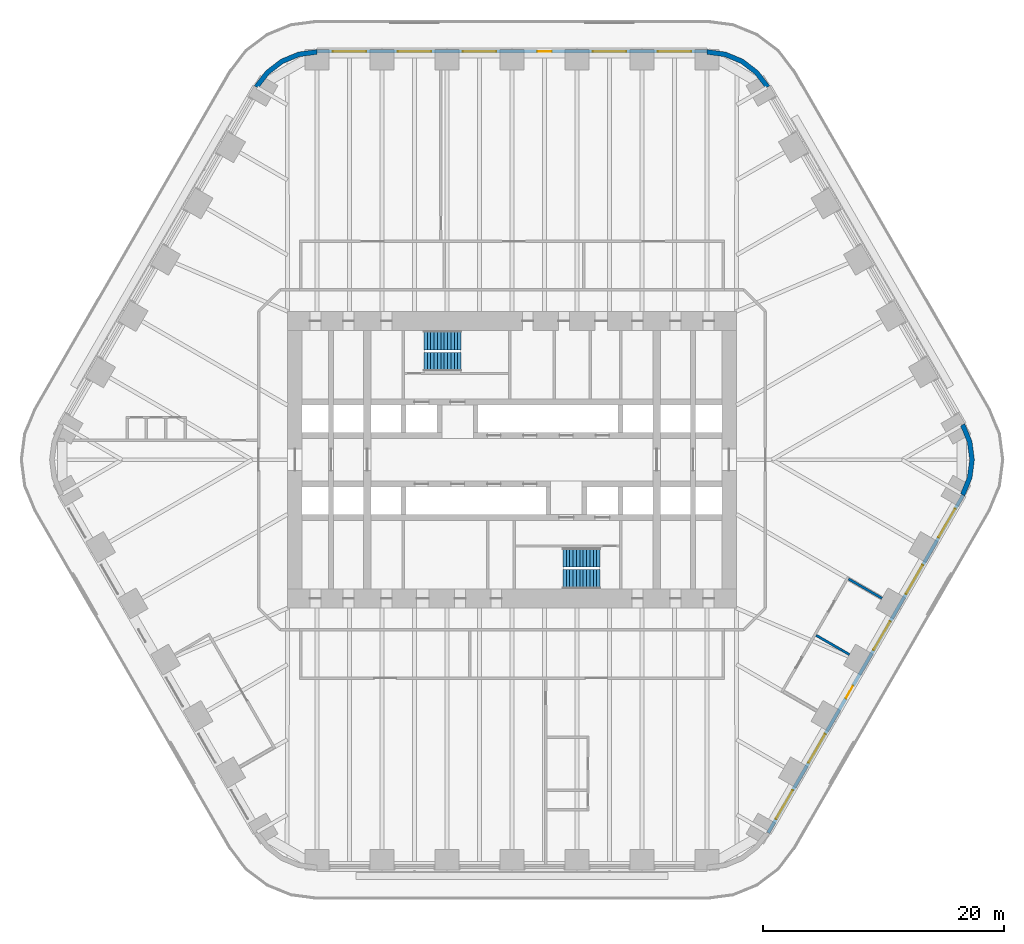
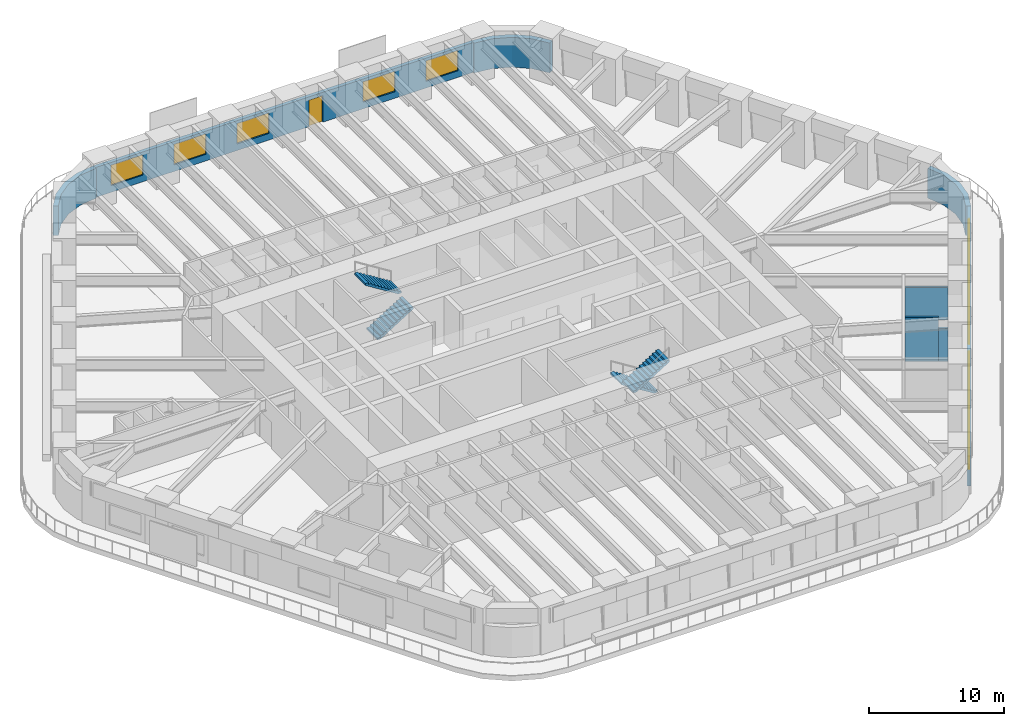
# One storey, part 20 of 23: 10 windows, 8 walls, 4 stair flights, 2 doors, 12 openings, 2 elements without a shape of their own.
"""IFC4 building model written with IfcOpenShell, lengths in metres."""

import ifcopenshell
import ifcopenshell.guid

model = None  # the IFC model being written
_history = None  # IfcOwnerHistory: only IFC2X3 demands one
_inside = {}  # id of a spatial element -> (the spatial element, [elements in it])
_under = {}  # id of a project, library or spatial element -> (it, [spatial elements below it])
_declared = {}  # id of a project -> (the project, [libraries it declares])
_typed = {}  # id of a type object -> (the type object, [elements of that type])
_made_of = {}  # id of a material, layer set ... -> (it, [elements and type objects made of it])


def new_model(schema):
    """Start an empty IFC model of exactly this schema.

    Asked for "IFC4X3", IfcOpenShell would pick the latest addendum, in which some entities
    have other attributes; the version numbers below select the first issue.
    IFC2X3 requires an IfcOwnerHistory on every rooted entity: one is made here for all.
    """
    global model, _history
    if schema == "IFC4X3":
        model = ifcopenshell.file(schema_version=(4, 3, 0, 0))
    else:
        model = ifcopenshell.file(schema=schema)
    _inside.clear()
    _under.clear()
    _declared.clear()
    _typed.clear()
    _made_of.clear()
    _history = None
    if model.schema == "IFC2X3":
        org = make("IfcOrganization", Name="unknown")
        user = make(
            "IfcPersonAndOrganization",
            ThePerson=make("IfcPerson", FamilyName="unknown"),
            TheOrganization=org,
        )
        app = make(
            "IfcApplication",
            ApplicationDeveloper=org,
            Version="unknown",
            ApplicationFullName="unknown",
            ApplicationIdentifier="unknown",
        )
        _history = make(
            "IfcOwnerHistory",
            OwningUser=user,
            OwningApplication=app,
            ChangeAction="ADDED",
            CreationDate=0,
        )
    return model


def make(cls, **values):
    """One entity of the class cls with the attributes given. An attribute that is None is left unset."""
    return model.create_entity(
        cls, **{name: value for name, value in values.items() if value is not None}
    )


def rooted(cls, **values):
    """An entity with a GlobalId (a new one), such as an element, a storey or a relation."""
    return make(cls, GlobalId=ifcopenshell.guid.new(), OwnerHistory=_history, **values)


def si_unit(unit_type, name, prefix=None):
    """IfcSIUnit, for example si_unit("LENGTHUNIT", "METRE", prefix="MILLI")."""
    return make("IfcSIUnit", UnitType=unit_type, Prefix=prefix, Name=name)


def assignment(units):
    """IfcUnitAssignment: the units of a project."""
    return None if units is None else make("IfcUnitAssignment", Units=units)


def point(xyz):
    """IfcCartesianPoint."""
    return None if xyz is None else make("IfcCartesianPoint", Coordinates=xyz)


def direction(xyz):
    """IfcDirection."""
    return None if xyz is None else make("IfcDirection", DirectionRatios=xyz)


def frame(location, z_axis=None, x_axis=None):
    """IfcAxis2Placement3D, a coordinate frame: its origin and axes. An axis left out is left unset."""
    return make(
        "IfcAxis2Placement3D",
        Location=point(location),
        Axis=direction(z_axis),
        RefDirection=direction(x_axis),
    )


def frame_2d(location, x_axis=None):
    """IfcAxis2Placement2D, a coordinate frame in the plane: its origin and x axis."""
    return make(
        "IfcAxis2Placement2D", Location=point(location), RefDirection=direction(x_axis)
    )


def origin():
    """The frame at (0, 0, 0) with its axes left unset."""
    return frame((0.0, 0.0, 0.0))


def place(relative_to, where):
    """IfcLocalPlacement: puts the frame where relative to a parent placement (None: the world)."""
    return make(
        "IfcLocalPlacement", PlacementRelTo=relative_to, RelativePlacement=where
    )


def context(
    kind, dimensions, precision=None, world=None, true_north=None, identifier=None
):
    """IfcGeometricRepresentationContext, for example the 3D "Model" context."""
    return make(
        "IfcGeometricRepresentationContext",
        ContextIdentifier=identifier,
        ContextType=kind,
        CoordinateSpaceDimension=dimensions,
        Precision=precision,
        WorldCoordinateSystem=world,
        TrueNorth=true_north,
    )


def subcontext(parent, identifier, kind, view, scale=None):
    """IfcGeometricRepresentationSubContext, for example "Body" below "Model"."""
    return make(
        "IfcGeometricRepresentationSubContext",
        ContextIdentifier=identifier,
        ContextType=kind,
        ParentContext=parent,
        TargetScale=scale,
        TargetView=view,
    )


def project(units=None, contexts=None):
    """IfcProject with its units and contexts."""
    return rooted(
        "IfcProject",
        Name="project",
        RepresentationContexts=contexts,
        UnitsInContext=assignment(units),
    )


def spatial(cls, under=None, at=None, **own):
    """A site, building, storey or space (cls), placed at a placement, below another one or the project."""
    s = rooted(cls, ObjectPlacement=at, **own)
    if under is not None:
        _under.setdefault(under.id(), (under, []))[1].append(s)
    return s


def polyline(points):
    """IfcPolyline through the points."""
    return make("IfcPolyline", Points=[point(p) for p in points])


def profile(cls, at=None, kind="AREA", **sizes):
    """A parametric profile (cls). Its sizes go by their IFC names, for example OverallWidth=200.0."""
    return make(cls, ProfileType=kind, Position=at, **sizes)


def rectangle(**sizes):
    """IfcRectangleProfileDef."""
    return profile("IfcRectangleProfileDef", **sizes)


def outline(outer, holes=None, kind="AREA"):
    """IfcArbitraryClosedProfileDef: a profile drawn as a closed curve; with holes, ...WithVoids."""
    if holes is None:
        return make("IfcArbitraryClosedProfileDef", ProfileType=kind, OuterCurve=outer)
    return make(
        "IfcArbitraryProfileDefWithVoids",
        ProfileType=kind,
        OuterCurve=outer,
        InnerCurves=holes,
    )


def extrude(swept, where, along, depth):
    """IfcExtrudedAreaSolid: the profile swept, set in the frame where, extruded along a direction by depth."""
    return make(
        "IfcExtrudedAreaSolid",
        SweptArea=swept,
        Position=where,
        ExtrudedDirection=direction(along),
        Depth=depth,
    )


def shape(context_of_items, identifier, shape_type, items):
    """IfcShapeRepresentation: the items that make up one representation, for example the "Body"."""
    return make(
        "IfcShapeRepresentation",
        ContextOfItems=context_of_items,
        RepresentationIdentifier=identifier,
        RepresentationType=shape_type,
        Items=items,
    )


def material(Name=None, Category=None):
    """IfcMaterial."""
    return make("IfcMaterial", Name=Name, Category=Category)


def layer(
    of_material, thickness, ventilated=None, Name=None, Category=None, Priority=None
):
    """IfcMaterialLayer: one layer of a wall or slab, of a material (None: an air gap)."""
    return make(
        "IfcMaterialLayer",
        Material=of_material,
        LayerThickness=thickness,
        IsVentilated=ventilated,
        Name=Name,
        Category=Category,
        Priority=Priority,
    )


def layer_set(layers, Name=None):
    """IfcMaterialLayerSet."""
    return make("IfcMaterialLayerSet", MaterialLayers=layers, LayerSetName=Name)


def made_of(thing, what):
    """Note that an element or type object is made of a material, layer set ...; save() writes the relation."""
    if what is not None:
        _made_of.setdefault(what.id(), (what, []))[1].append(thing)
    return thing


def type_object(cls, material=None, **own):
    """A type object (cls), such as IfcWallType, which elements share."""
    return made_of(rooted(cls, **own), material)


def element(
    cls,
    number,
    at=None,
    inside=None,
    cuts=None,
    type_object=None,
    material=None,
    context=None,
    identifier="Body",
    shape_type=None,
    held_by="IfcProductDefinitionShape",
    body=None,
    shapes=None,
    **own,
):
    """One element of the class cls, such as IfcWall. Its Tag is "e" and its number.

    at: its placement. inside: the storey or other place that contains it. cuts: it is an
    opening in that element (IfcRelVoidsElement). A single representation is given by context,
    identifier, shape_type and body (its items); several are given by shapes. held_by: the class
    of the entity that holds the representations. save() writes the other relations.
    """
    e = rooted(cls, Tag="e%d" % number, ObjectPlacement=at, **own)
    if body is not None:
        shapes = [shape(context, identifier, shape_type, body)]
    if shapes is not None:
        e.Representation = make(held_by, Representations=shapes)
    if inside is not None:
        _inside.setdefault(inside.id(), (inside, []))[1].append(e)
    if cuts is not None:
        rooted(
            "IfcRelVoidsElement", RelatingBuildingElement=cuts, RelatedOpeningElement=e
        )
    if type_object is not None:
        _typed.setdefault(type_object.id(), (type_object, []))[1].append(e)
    return made_of(e, material)


def fill(opening, filler):
    """IfcRelFillsElement: the door or window that sits in an opening."""
    return rooted(
        "IfcRelFillsElement",
        RelatingOpeningElement=opening,
        RelatedBuildingElement=filler,
    )


def aggregate(whole, parts):
    """IfcRelAggregates: a whole, such as a stair, and the parts it consists of."""
    return rooted("IfcRelAggregates", RelatingObject=whole, RelatedObjects=parts)


def save(model, path):
    """Write the relations noted so far, then the file.

    IfcRelAggregates (storeys below a building ...), IfcRelContainedInSpatialStructure (elements
    in a storey), IfcRelDefinesByType, IfcRelAssociatesMaterial and IfcRelDeclares: one each for
    every whole, place, type object, material and project.
    """
    for whole, parts in _under.values():
        aggregate(whole, parts)
    for where, things in _inside.values():
        rooted(
            "IfcRelContainedInSpatialStructure",
            RelatedElements=things,
            RelatingStructure=where,
        )
    for kind, things in _typed.values():
        rooted("IfcRelDefinesByType", RelatedObjects=things, RelatingType=kind)
    for what, things in _made_of.values():
        rooted("IfcRelAssociatesMaterial", RelatedObjects=things, RelatingMaterial=what)
    for by, libraries in _declared.values():
        rooted("IfcRelDeclares", RelatingContext=by, RelatedDefinitions=libraries)
    model.write(path)


model = new_model("IFC4")

# Units and contexts
model_context = context("Model", 3, precision=1e-05, world=origin(), true_north=direction((0.0, 1.0)))
body_context = subcontext(model_context, "Body", "Model", "MODEL_VIEW")
ifc_project = project(units=[si_unit("LENGTHUNIT", "METRE"), si_unit("AREAUNIT", "SQUARE_METRE"), si_unit("VOLUMEUNIT", "CUBIC_METRE"), si_unit("PLANEANGLEUNIT", "RADIAN"), si_unit("MASSUNIT", "GRAM", prefix="KILO")], contexts=[model_context])

# Site, building, storey
site_placement = place(None, origin())
site = spatial("IfcSite", under=ifc_project, at=site_placement, CompositionType="ELEMENT")
building_placement = place(site_placement, origin())
building = spatial("IfcBuilding", under=site, at=building_placement, Name="Tarfa Lantern Tower", CompositionType="ELEMENT")
storey_placement = place(building_placement, frame((0.0, 0.0, 78.10009765625)))
storey = spatial("IfcBuildingStorey", under=building, at=storey_placement, Name="L17", CompositionType="ELEMENT", Elevation=78.10009765625)

# Wall, openings, door, windows
ifc_material_1 = material(Name="Limestone cladding on blockwork", Category="masonry")
ifc_layer_1 = layer(ifc_material_1, 0.300048828125)
ifc_layer_set_1 = layer_set([ifc_layer_1], Name="EW1 STONE-CLAD WALL 300")
wall_type_1 = type_object("IfcWallType", Name="EW1 STONE-CLAD WALL 300", PredefinedType="SOLIDWALL", material=ifc_layer_set_1)
wall_1_placement = place(storey_placement, frame((16.165771484375, 33.85009765625, 0.0), z_axis=(0.0, 0.0, 1.0), x_axis=(-1.0, 0.0, 0.0)))
wall_1 = element("IfcWall", 1, at=wall_1_placement, inside=storey, type_object=wall_type_1, Name="Stone wall N", PredefinedType="SOLIDWALL", context=body_context, shape_type="SweptSolid", body=[
    extrude(rectangle(XDim=32.33154296875, YDim=0.300048828125, at=frame_2d((16.165771484375, 0.0))), origin(), (0.0, 0.0, 1.0), 2.699951171875),
])
opening_1_placement = place(wall_1_placement, frame((1.3193359375, 0.0, 0.60009765625)))
opening_1 = element("IfcOpeningElement", 2, at=opening_1_placement, cuts=wall_1, Name="Opening W2", PredefinedType="OPENING", context=body_context, shape_type="SweptSolid", body=[
    extrude(rectangle(XDim=2.75, YDim=1.85009765625, at=frame_2d((1.375, 0.925048828125))), frame((0.0, 0.159912109375, 0.0), z_axis=(0.0, -1.0, 0.0), x_axis=(1.0, 0.0, 0.0)), (0.0, 0.0, 1.0), 0.320068359375),
])
opening_2_placement = place(wall_1_placement, frame((6.7080078125, 0.0, 0.60009765625)))
opening_2 = element("IfcOpeningElement", 3, at=opening_2_placement, cuts=wall_1, Name="Opening W2", PredefinedType="OPENING", context=body_context, shape_type="SweptSolid", body=[
    extrude(rectangle(XDim=2.75, YDim=1.85009765625, at=frame_2d((1.375, 0.925048828125))), frame((0.0, 0.159912109375, 0.0), z_axis=(0.0, -1.0, 0.0), x_axis=(1.0, 0.0, 0.0)), (0.0, 0.0, 1.0), 0.320068359375),
])
opening_3_placement = place(wall_1_placement, frame((12.87158203125, 0.0, 0.0)))
opening_3 = element("IfcOpeningElement", 4, at=opening_3_placement, cuts=wall_1, Name="Opening D47", PredefinedType="OPENING", context=body_context, shape_type="SweptSolid", body=[
    extrude(rectangle(XDim=1.199951171875, YDim=2.39990234375, at=frame_2d((0.60009765625, 1.199951171875))), frame((0.0, 0.159912109375, 0.0), z_axis=(0.0, -1.0, 0.0), x_axis=(1.0, 0.0, 0.0)), (0.0, 0.0, 1.0), 0.320068359375),
])
opening_4_placement = place(wall_1_placement, frame((17.485107421875, 0.0, 0.60009765625)))
opening_4 = element("IfcOpeningElement", 5, at=opening_4_placement, cuts=wall_1, Name="Opening W2", PredefinedType="OPENING", context=body_context, shape_type="SweptSolid", body=[
    extrude(rectangle(XDim=2.75, YDim=1.85009765625, at=frame_2d((1.375, 0.925048828125))), frame((0.0, 0.159912109375, 0.0), z_axis=(0.0, -1.0, 0.0), x_axis=(1.0, 0.0, 0.0)), (0.0, 0.0, 1.0), 0.320068359375),
])
opening_5_placement = place(wall_1_placement, frame((22.873779296875, 0.0, 0.60009765625)))
opening_5 = element("IfcOpeningElement", 6, at=opening_5_placement, cuts=wall_1, Name="Opening W2", PredefinedType="OPENING", context=body_context, shape_type="SweptSolid", body=[
    extrude(rectangle(XDim=2.75, YDim=1.85009765625, at=frame_2d((1.375, 0.925048828125))), frame((0.0, 0.159912109375, 0.0), z_axis=(0.0, -1.0, 0.0), x_axis=(1.0, 0.0, 0.0)), (0.0, 0.0, 1.0), 0.320068359375),
])
opening_6_placement = place(wall_1_placement, frame((28.26220703125, 0.0, 0.60009765625)))
opening_6 = element("IfcOpeningElement", 7, at=opening_6_placement, cuts=wall_1, Name="Opening W2", PredefinedType="OPENING", context=body_context, shape_type="SweptSolid", body=[
    extrude(rectangle(XDim=2.75, YDim=1.85009765625, at=frame_2d((1.375, 0.925048828125))), frame((0.0, 0.159912109375, 0.0), z_axis=(0.0, -1.0, 0.0), x_axis=(1.0, 0.0, 0.0)), (0.0, 0.0, 1.0), 0.320068359375),
])
ifc_material_2 = material(Name="Aluminium framed glazed door", Category="aluminium")
door_type = type_object("IfcDoorType", Name="BE3 BALCONY DOOR 1200x2400", OperationType="SINGLE_SWING_RIGHT", PredefinedType="DOOR", material=ifc_material_2)
door_1_placement = place(opening_3_placement, origin())
door_1 = element("IfcDoor", 8, at=door_1_placement, inside=storey, type_object=door_type, Name="Balcony door N", OperationType="SINGLE_SWING_RIGHT", OverallHeight=2.39990234375, OverallWidth=1.199951171875, PredefinedType="DOOR", context=body_context, shape_type="SweptSolid", body=[
    extrude(rectangle(XDim=1.199951171875, YDim=2.39990234375, at=frame_2d((0.60009765625, 1.199951171875))), frame((0.0, 0.02490234375, 0.0), z_axis=(0.0, -1.0, 0.0), x_axis=(1.0, 0.0, 0.0)), (0.0, 0.0, 1.0), 0.050048828125),
])
fill(opening_3, door_1)
ifc_material_3 = material(Name="Aluminium frame, double glazed", Category="aluminium")
window_type = type_object("IfcWindowType", Name="W2 FULL-HEIGHT GLAZING 2750x1850", PartitioningType="SINGLE_PANEL", PredefinedType="WINDOW", material=ifc_material_3)
window_1_placement = place(opening_1_placement, origin())
window_1 = element("IfcWindow", 9, at=window_1_placement, inside=storey, type_object=window_type, Name="Window N 1", OverallHeight=1.85009765625, OverallWidth=2.75, PartitioningType="SINGLE_PANEL", PredefinedType="WINDOW", context=body_context, shape_type="SweptSolid", body=[
    extrude(rectangle(XDim=2.75, YDim=1.85009765625, at=frame_2d((1.375, 0.925048828125))), frame((0.0, 0.030029296875, 0.0), z_axis=(0.0, -1.0, 0.0), x_axis=(1.0, 0.0, 0.0)), (0.0, 0.0, 1.0), 0.06005859375),
])
fill(opening_1, window_1)
window_2_placement = place(opening_2_placement, origin())
window_2 = element("IfcWindow", 10, at=window_2_placement, inside=storey, type_object=window_type, Name="Window N 2", OverallHeight=1.85009765625, OverallWidth=2.75, PartitioningType="SINGLE_PANEL", PredefinedType="WINDOW", context=body_context, shape_type="SweptSolid", body=[
    extrude(rectangle(XDim=2.75, YDim=1.85009765625, at=frame_2d((1.375, 0.925048828125))), frame((0.0, 0.030029296875, 0.0), z_axis=(0.0, -1.0, 0.0), x_axis=(1.0, 0.0, 0.0)), (0.0, 0.0, 1.0), 0.06005859375),
])
fill(opening_2, window_2)
window_3_placement = place(opening_4_placement, origin())
window_3 = element("IfcWindow", 11, at=window_3_placement, inside=storey, type_object=window_type, Name="Window N 4", OverallHeight=1.85009765625, OverallWidth=2.75, PartitioningType="SINGLE_PANEL", PredefinedType="WINDOW", context=body_context, shape_type="SweptSolid", body=[
    extrude(rectangle(XDim=2.75, YDim=1.85009765625, at=frame_2d((1.375, 0.925048828125))), frame((0.0, 0.030029296875, 0.0), z_axis=(0.0, -1.0, 0.0), x_axis=(1.0, 0.0, 0.0)), (0.0, 0.0, 1.0), 0.06005859375),
])
fill(opening_4, window_3)
window_4_placement = place(opening_5_placement, origin())
window_4 = element("IfcWindow", 12, at=window_4_placement, inside=storey, type_object=window_type, Name="Window N 5", OverallHeight=1.85009765625, OverallWidth=2.75, PartitioningType="SINGLE_PANEL", PredefinedType="WINDOW", context=body_context, shape_type="SweptSolid", body=[
    extrude(rectangle(XDim=2.75, YDim=1.85009765625, at=frame_2d((1.375, 0.925048828125))), frame((0.0, 0.030029296875, 0.0), z_axis=(0.0, -1.0, 0.0), x_axis=(1.0, 0.0, 0.0)), (0.0, 0.0, 1.0), 0.06005859375),
])
fill(opening_5, window_4)
window_5_placement = place(opening_6_placement, origin())
window_5 = element("IfcWindow", 13, at=window_5_placement, inside=storey, type_object=window_type, Name="Window N 6", OverallHeight=1.85009765625, OverallWidth=2.75, PartitioningType="SINGLE_PANEL", PredefinedType="WINDOW", context=body_context, shape_type="SweptSolid", body=[
    extrude(rectangle(XDim=2.75, YDim=1.85009765625, at=frame_2d((1.375, 0.925048828125))), frame((0.0, 0.030029296875, 0.0), z_axis=(0.0, -1.0, 0.0), x_axis=(1.0, 0.0, 0.0)), (0.0, 0.0, 1.0), 0.06005859375),
])
fill(opening_6, window_5)

wall_2_placement = place(storey_placement, frame((21.232177734375, -30.925048828125, 0.0), z_axis=(0.0, 0.0, 1.0), x_axis=(0.499999163675, 0.866025886636, 0.0)))
wall_2 = element("IfcWall", 14, at=wall_2_placement, inside=storey, type_object=wall_type_1, Name="Stone wall SE", PredefinedType="SOLIDWALL", context=body_context, shape_type="SweptSolid", body=[
    extrude(rectangle(XDim=32.33154296875, YDim=0.300048828125, at=frame_2d((16.165771484375, 0.0))), origin(), (0.0, 0.0, 1.0), 2.699951171875),
])
opening_7_placement = place(wall_2_placement, frame((1.3193359375, 0.0, 0.60009765625)))
opening_7 = element("IfcOpeningElement", 15, at=opening_7_placement, cuts=wall_2, Name="Opening W2", PredefinedType="OPENING", context=body_context, shape_type="SweptSolid", body=[
    extrude(rectangle(XDim=2.75, YDim=1.85009765625, at=frame_2d((1.375, 0.925048828125))), frame((0.0, 0.159912109375, 0.0), z_axis=(0.0, -1.0, 0.0), x_axis=(1.0, 0.0, 0.0)), (0.0, 0.0, 1.0), 0.320068359375),
])
opening_8_placement = place(wall_2_placement, frame((6.7080078125, 0.0, 0.60009765625)))
opening_8 = element("IfcOpeningElement", 16, at=opening_8_placement, cuts=wall_2, Name="Opening W2", PredefinedType="OPENING", context=body_context, shape_type="SweptSolid", body=[
    extrude(rectangle(XDim=2.75, YDim=1.85009765625, at=frame_2d((1.375, 0.925048828125))), frame((0.0, 0.159912109375, 0.0), z_axis=(0.0, -1.0, 0.0), x_axis=(1.0, 0.0, 0.0)), (0.0, 0.0, 1.0), 0.320068359375),
])
opening_9_placement = place(wall_2_placement, frame((12.87158203125, 0.0, 0.0)))
opening_9 = element("IfcOpeningElement", 17, at=opening_9_placement, cuts=wall_2, Name="Opening D48", PredefinedType="OPENING", context=body_context, shape_type="SweptSolid", body=[
    extrude(rectangle(XDim=1.199951171875, YDim=2.39990234375, at=frame_2d((0.60009765625, 1.199951171875))), frame((0.0, 0.159912109375, 0.0), z_axis=(0.0, -1.0, 0.0), x_axis=(1.0, 0.0, 0.0)), (0.0, 0.0, 1.0), 0.320068359375),
])
opening_10_placement = place(wall_2_placement, frame((17.485107421875, 0.0, 0.60009765625)))
opening_10 = element("IfcOpeningElement", 18, at=opening_10_placement, cuts=wall_2, Name="Opening W2", PredefinedType="OPENING", context=body_context, shape_type="SweptSolid", body=[
    extrude(rectangle(XDim=2.75, YDim=1.85009765625, at=frame_2d((1.375, 0.925048828125))), frame((0.0, 0.159912109375, 0.0), z_axis=(0.0, -1.0, 0.0), x_axis=(1.0, 0.0, 0.0)), (0.0, 0.0, 1.0), 0.320068359375),
])
opening_11_placement = place(wall_2_placement, frame((22.873779296875, 0.0, 0.60009765625)))
opening_11 = element("IfcOpeningElement", 19, at=opening_11_placement, cuts=wall_2, Name="Opening W2", PredefinedType="OPENING", context=body_context, shape_type="SweptSolid", body=[
    extrude(rectangle(XDim=2.75, YDim=1.85009765625, at=frame_2d((1.375, 0.925048828125))), frame((0.0, 0.159912109375, 0.0), z_axis=(0.0, -1.0, 0.0), x_axis=(1.0, 0.0, 0.0)), (0.0, 0.0, 1.0), 0.320068359375),
])
opening_12_placement = place(wall_2_placement, frame((28.26220703125, 0.0, 0.60009765625)))
opening_12 = element("IfcOpeningElement", 20, at=opening_12_placement, cuts=wall_2, Name="Opening W2", PredefinedType="OPENING", context=body_context, shape_type="SweptSolid", body=[
    extrude(rectangle(XDim=2.75, YDim=1.85009765625, at=frame_2d((1.375, 0.925048828125))), frame((0.0, 0.159912109375, 0.0), z_axis=(0.0, -1.0, 0.0), x_axis=(1.0, 0.0, 0.0)), (0.0, 0.0, 1.0), 0.320068359375),
])
door_2_placement = place(opening_9_placement, origin())
door_2 = element("IfcDoor", 21, at=door_2_placement, inside=storey, type_object=door_type, Name="Balcony door SE", OperationType="SINGLE_SWING_RIGHT", OverallHeight=2.39990234375, OverallWidth=1.199951171875, PredefinedType="DOOR", context=body_context, shape_type="SweptSolid", body=[
    extrude(rectangle(XDim=1.199951171875, YDim=2.39990234375, at=frame_2d((0.60009765625, 1.199951171875))), frame((0.0, 0.02490234375, 0.0), z_axis=(0.0, -1.0, 0.0), x_axis=(1.0, 0.0, 0.0)), (0.0, 0.0, 1.0), 0.050048828125),
])
fill(opening_9, door_2)
window_6_placement = place(opening_7_placement, origin())
window_6 = element("IfcWindow", 22, at=window_6_placement, inside=storey, type_object=window_type, Name="Window SE 1", OverallHeight=1.85009765625, OverallWidth=2.75, PartitioningType="SINGLE_PANEL", PredefinedType="WINDOW", context=body_context, shape_type="SweptSolid", body=[
    extrude(rectangle(XDim=2.75, YDim=1.85009765625, at=frame_2d((1.375, 0.925048828125))), frame((0.0, 0.030029296875, 0.0), z_axis=(0.0, -1.0, 0.0), x_axis=(1.0, 0.0, 0.0)), (0.0, 0.0, 1.0), 0.06005859375),
])
fill(opening_7, window_6)
window_7_placement = place(opening_8_placement, origin())
window_7 = element("IfcWindow", 23, at=window_7_placement, inside=storey, type_object=window_type, Name="Window SE 2", OverallHeight=1.85009765625, OverallWidth=2.75, PartitioningType="SINGLE_PANEL", PredefinedType="WINDOW", context=body_context, shape_type="SweptSolid", body=[
    extrude(rectangle(XDim=2.75, YDim=1.85009765625, at=frame_2d((1.375, 0.925048828125))), frame((0.0, 0.030029296875, 0.0), z_axis=(0.0, -1.0, 0.0), x_axis=(1.0, 0.0, 0.0)), (0.0, 0.0, 1.0), 0.06005859375),
])
fill(opening_8, window_7)
window_8_placement = place(opening_10_placement, origin())
window_8 = element("IfcWindow", 24, at=window_8_placement, inside=storey, type_object=window_type, Name="Window SE 4", OverallHeight=1.85009765625, OverallWidth=2.75, PartitioningType="SINGLE_PANEL", PredefinedType="WINDOW", context=body_context, shape_type="SweptSolid", body=[
    extrude(rectangle(XDim=2.75, YDim=1.85009765625, at=frame_2d((1.375, 0.925048828125))), frame((0.0, 0.030029296875, 0.0), z_axis=(0.0, -1.0, 0.0), x_axis=(1.0, 0.0, 0.0)), (0.0, 0.0, 1.0), 0.06005859375),
])
fill(opening_10, window_8)
window_9_placement = place(opening_11_placement, origin())
window_9 = element("IfcWindow", 25, at=window_9_placement, inside=storey, type_object=window_type, Name="Window SE 5", OverallHeight=1.85009765625, OverallWidth=2.75, PartitioningType="SINGLE_PANEL", PredefinedType="WINDOW", context=body_context, shape_type="SweptSolid", body=[
    extrude(rectangle(XDim=2.75, YDim=1.85009765625, at=frame_2d((1.375, 0.925048828125))), frame((0.0, 0.030029296875, 0.0), z_axis=(0.0, -1.0, 0.0), x_axis=(1.0, 0.0, 0.0)), (0.0, 0.0, 1.0), 0.06005859375),
])
fill(opening_11, window_9)
window_10_placement = place(opening_12_placement, origin())
window_10 = element("IfcWindow", 26, at=window_10_placement, inside=storey, type_object=window_type, Name="Window SE 6", OverallHeight=1.85009765625, OverallWidth=2.75, PartitioningType="SINGLE_PANEL", PredefinedType="WINDOW", context=body_context, shape_type="SweptSolid", body=[
    extrude(rectangle(XDim=2.75, YDim=1.85009765625, at=frame_2d((1.375, 0.925048828125))), frame((0.0, 0.030029296875, 0.0), z_axis=(0.0, -1.0, 0.0), x_axis=(1.0, 0.0, 0.0)), (0.0, 0.0, 1.0), 0.06005859375),
])
fill(opening_12, window_10)

# Walls
ifc_layer_2 = layer(ifc_material_1, 0.39990234375)
ifc_layer_set_2 = layer_set([ifc_layer_2], Name="EW2 CURVED STONE CORNER 400")
wall_type_2 = type_object("IfcWallType", Name="EW2 CURVED STONE CORNER 400", PredefinedType="SOLIDWALL", material=ifc_layer_set_2)
wall_3_placement = place(storey_placement, origin())
element("IfcWall", 27, at=wall_3_placement, inside=storey, type_object=wall_type_2, Name="Stone corner NE-N", PredefinedType="SOLIDWALL", context=body_context, shape_type="SweptSolid", body=[
    extrude(outline(polyline([(21.362060546875, 31.0), (20.408447265625, 32.24267578125), (19.165771484375, 33.196044921875), (17.71875, 33.795654296875), (16.165771484375, 34.0), (16.165771484375, 33.60009765625), (17.615234375, 33.4091796875), (18.9658203125, 32.849853515625), (20.12548828125, 31.959716796875), (21.015625, 30.800048828125), (21.362060546875, 31.0)])), origin(), (0.0, 0.0, 1.0), 2.699951171875),
])
wall_4_placement = place(storey_placement, origin())
element("IfcWall", 28, at=wall_4_placement, inside=storey, type_object=wall_type_2, Name="Stone corner N-NW", PredefinedType="SOLIDWALL", context=body_context, shape_type="SweptSolid", body=[
    extrude(outline(polyline([(-16.165771484375, 34.0), (-17.71875, 33.795654296875), (-19.165771484375, 33.196044921875), (-20.408447265625, 32.24267578125), (-21.362060546875, 31.0), (-21.015625, 30.800048828125), (-20.12548828125, 31.959716796875), (-18.9658203125, 32.849853515625), (-17.615234375, 33.4091796875), (-16.165771484375, 33.60009765625), (-16.165771484375, 34.0)])), origin(), (0.0, 0.0, 1.0), 2.699951171875),
])
wall_5_placement = place(storey_placement, origin())
element("IfcWall", 29, at=wall_5_placement, inside=storey, type_object=wall_type_2, Name="Stone corner SE-NE", PredefinedType="SOLIDWALL", context=body_context, shape_type="SweptSolid", body=[
    extrude(outline(polyline([(37.52783203125, -3.0), (38.127197265625, -1.552978515625), (38.33154296875, 0.0), (38.127197265625, 1.552978515625), (37.52783203125, 3.0), (37.181396484375, 2.800048828125), (37.74072265625, 1.449462890625), (37.931640625, 0.0), (37.74072265625, -1.449462890625), (37.181396484375, -2.800048828125), (37.52783203125, -3.0)])), origin(), (0.0, 0.0, 1.0), 2.699951171875),
])
ifc_material_4 = material(Name="Gypsum board on steel studs", Category="steel")
ifc_layer_3 = layer(ifc_material_4, 0.2099609375)
ifc_layer_set_3 = layer_set([ifc_layer_3], Name="IW2 ACOUSTIC PARTITION 200")
wall_type_3 = type_object("IfcWallType", Name="IW2 ACOUSTIC PARTITION 200", PredefinedType="PARTITIONING", material=ifc_layer_set_3)
wall_6_placement = place(storey_placement, frame((25.201416015625, -14.550048828125, 0.0), z_axis=(0.0, 0.0, 1.0), x_axis=(0.866020232408, -0.500008956979, 0.0)))
element("IfcWall", 30, at=wall_6_placement, inside=storey, type_object=wall_type_3, Name="Partition", PredefinedType="PARTITIONING", context=body_context, shape_type="SweptSolid", body=[
    extrude(rectangle(XDim=2.4833984375, YDim=0.199951171875, at=frame_2d((1.24169921875, 0.0))), origin(), (0.0, 0.0, 1.0), 4.0),
])
wall_7_placement = place(storey_placement, frame((27.35205078125, -15.791748046875, 0.0), z_axis=(0.0, 0.0, 1.0), x_axis=(0.866117509073, -0.499840435016, 0.0)))
element("IfcWall", 31, at=wall_7_placement, inside=storey, type_object=wall_type_3, Name="Partition", PredefinedType="PARTITIONING", context=body_context, shape_type="SweptSolid", body=[
    extrude(rectangle(XDim=0.716552734375, YDim=0.199951171875, at=frame_2d((0.3583984375, 0.0))), origin(), (0.0, 0.0, 1.0), 2.99169921875),
])
wall_8_placement = place(storey_placement, frame((27.895751953125, -9.88330078125, 0.0), z_axis=(0.0, 0.0, 1.0), x_axis=(0.866008981251, -0.500028443584, 0.0)))
element("IfcWall", 32, at=wall_8_placement, inside=storey, type_object=wall_type_3, Name="Partition", PredefinedType="PARTITIONING", context=body_context, shape_type="SweptSolid", body=[
    extrude(rectangle(XDim=3.199951171875, YDim=0.199951171875, at=frame_2d((1.60009765625, 0.0))), origin(), (0.0, 0.0, 1.0), 2.94384765625),
])

# Stair, stair flights
ifc_material_5 = material(Name="Concrete C40/50", Category="concrete")
stair_type = type_object("IfcStairType", Name="ST-T10 HALF-TURN STAIR 4200 RISE", PredefinedType="HALF_TURN_STAIR", material=ifc_material_5)
stair_1_placement = place(storey_placement, origin())
stair_1 = element("IfcStair", 33, at=stair_1_placement, inside=storey, type_object=stair_type, Name="Stair ST1", PredefinedType="HALF_TURN_STAIR")
stair_flight_type = type_object("IfcStairFlightType", Name="SF1 STAIR FLIGHT", PredefinedType="STRAIGHT", material=ifc_material_5)
stair_flight_1_placement = place(storey_placement, frame((-7.300048828125, 8.10009765625, 0.0), z_axis=(0.0, 0.0, 1.0), x_axis=(1.0, 0.0, 0.0)))
stair_flight_1 = element("IfcStairFlight", 34, at=stair_flight_1_placement, type_object=stair_flight_type, Name="ST1 flight 1", NumberOfRisers=12, NumberOfTreads=11, PredefinedType="STRAIGHT", RiserHeight=0.175, TreadLength=0.28, context=body_context, shape_type="SweptSolid", body=[
    extrude(outline(polyline([(0.0, 0.0), (0.0, 0.175048828125), (0.280029296875, 0.175048828125), (0.280029296875, 0.35009765625), (0.56005859375, 0.35009765625), (0.56005859375, 0.52490234375), (0.840087890625, 0.52490234375), (0.840087890625, 0.699951171875), (1.1201171875, 0.699951171875), (1.1201171875, 0.875), (1.39990234375, 0.875), (1.39990234375, 1.050048828125), (1.679931640625, 1.050048828125), (1.679931640625, 1.22509765625), (1.9599609375, 1.22509765625), (1.9599609375, 1.39990234375), (2.239990234375, 1.39990234375), (2.239990234375, 1.574951171875), (2.52001953125, 1.574951171875), (2.52001953125, 1.75), (2.800048828125, 1.75), (2.800048828125, 1.925048828125), (3.080078125, 1.925048828125), (3.080078125, 2.10009765625), (3.080078125, 1.748291015625), (0.28271484375, 0.0), (0.0, 0.0)])), frame((0.0, 0.800048828125, 0.0), z_axis=(0.0, -1.0, 0.0), x_axis=(1.0, 0.0, 0.0)), (0.0, 0.0, 1.0), 1.60009765625),
])
stair_flight_2_placement = place(storey_placement, frame((-4.219970703125, 9.89990234375, 2.099853515625), z_axis=(0.0, 0.0, 1.0), x_axis=(-1.0, 0.0, 0.0)))
stair_flight_2 = element("IfcStairFlight", 35, at=stair_flight_2_placement, type_object=stair_flight_type, Name="ST1 flight 2", NumberOfRisers=12, NumberOfTreads=11, PredefinedType="STRAIGHT", RiserHeight=0.175, TreadLength=0.28, context=body_context, shape_type="SweptSolid", body=[
    extrude(outline(polyline([(0.0, 0.0), (0.0, 0.175048828125), (0.280029296875, 0.175048828125), (0.280029296875, 0.35009765625), (0.56005859375, 0.35009765625), (0.56005859375, 0.52490234375), (0.840087890625, 0.52490234375), (0.840087890625, 0.699951171875), (1.1201171875, 0.699951171875), (1.1201171875, 0.875), (1.39990234375, 0.875), (1.39990234375, 1.050048828125), (1.679931640625, 1.050048828125), (1.679931640625, 1.22509765625), (1.9599609375, 1.22509765625), (1.9599609375, 1.39990234375), (2.239990234375, 1.39990234375), (2.239990234375, 1.574951171875), (2.52001953125, 1.574951171875), (2.52001953125, 1.75), (2.800048828125, 1.75), (2.800048828125, 1.925048828125), (3.080078125, 1.925048828125), (3.080078125, 2.10009765625), (3.080078125, 1.748291015625), (0.28271484375, 0.0), (0.0, 0.0)])), frame((0.0, 0.800048828125, 0.0), z_axis=(0.0, -1.0, 0.0), x_axis=(1.0, 0.0, 0.0)), (0.0, 0.0, 1.0), 1.60009765625),
])
aggregate(stair_1, [stair_flight_1, stair_flight_2])

stair_2_placement = place(storey_placement, origin())
stair_2 = element("IfcStair", 36, at=stair_2_placement, inside=storey, type_object=stair_type, Name="Stair ST2", PredefinedType="HALF_TURN_STAIR")
stair_flight_3_placement = place(storey_placement, frame((7.300048828125, -8.10009765625, 0.0), z_axis=(0.0, 0.0, 1.0), x_axis=(-1.0, 0.0, 0.0)))
stair_flight_3 = element("IfcStairFlight", 37, at=stair_flight_3_placement, type_object=stair_flight_type, Name="ST2 flight 1", NumberOfRisers=12, NumberOfTreads=11, PredefinedType="STRAIGHT", RiserHeight=0.175, TreadLength=0.28, context=body_context, shape_type="SweptSolid", body=[
    extrude(outline(polyline([(0.0, 0.0), (0.0, 0.175048828125), (0.280029296875, 0.175048828125), (0.280029296875, 0.35009765625), (0.56005859375, 0.35009765625), (0.56005859375, 0.52490234375), (0.840087890625, 0.52490234375), (0.840087890625, 0.699951171875), (1.1201171875, 0.699951171875), (1.1201171875, 0.875), (1.39990234375, 0.875), (1.39990234375, 1.050048828125), (1.679931640625, 1.050048828125), (1.679931640625, 1.22509765625), (1.9599609375, 1.22509765625), (1.9599609375, 1.39990234375), (2.239990234375, 1.39990234375), (2.239990234375, 1.574951171875), (2.52001953125, 1.574951171875), (2.52001953125, 1.75), (2.800048828125, 1.75), (2.800048828125, 1.925048828125), (3.080078125, 1.925048828125), (3.080078125, 2.10009765625), (3.080078125, 1.748291015625), (0.28271484375, 0.0), (0.0, 0.0)])), frame((0.0, 0.800048828125, 0.0), z_axis=(0.0, -1.0, 0.0), x_axis=(1.0, 0.0, 0.0)), (0.0, 0.0, 1.0), 1.60009765625),
])
stair_flight_4_placement = place(storey_placement, frame((4.219970703125, -9.89990234375, 2.099853515625), z_axis=(0.0, 0.0, 1.0), x_axis=(1.0, 0.0, 0.0)))
stair_flight_4 = element("IfcStairFlight", 38, at=stair_flight_4_placement, type_object=stair_flight_type, Name="ST2 flight 2", NumberOfRisers=12, NumberOfTreads=11, PredefinedType="STRAIGHT", RiserHeight=0.175, TreadLength=0.28, context=body_context, shape_type="SweptSolid", body=[
    extrude(outline(polyline([(0.0, 0.0), (0.0, 0.175048828125), (0.280029296875, 0.175048828125), (0.280029296875, 0.35009765625), (0.56005859375, 0.35009765625), (0.56005859375, 0.52490234375), (0.840087890625, 0.52490234375), (0.840087890625, 0.699951171875), (1.1201171875, 0.699951171875), (1.1201171875, 0.875), (1.39990234375, 0.875), (1.39990234375, 1.050048828125), (1.679931640625, 1.050048828125), (1.679931640625, 1.22509765625), (1.9599609375, 1.22509765625), (1.9599609375, 1.39990234375), (2.239990234375, 1.39990234375), (2.239990234375, 1.574951171875), (2.52001953125, 1.574951171875), (2.52001953125, 1.75), (2.800048828125, 1.75), (2.800048828125, 1.925048828125), (3.080078125, 1.925048828125), (3.080078125, 2.10009765625), (3.080078125, 1.748291015625), (0.28271484375, 0.0), (0.0, 0.0)])), frame((0.0, 0.800048828125, 0.0), z_axis=(0.0, -1.0, 0.0), x_axis=(1.0, 0.0, 0.0)), (0.0, 0.0, 1.0), 1.60009765625),
])
aggregate(stair_2, [stair_flight_3, stair_flight_4])

save(model, "model.ifc")
